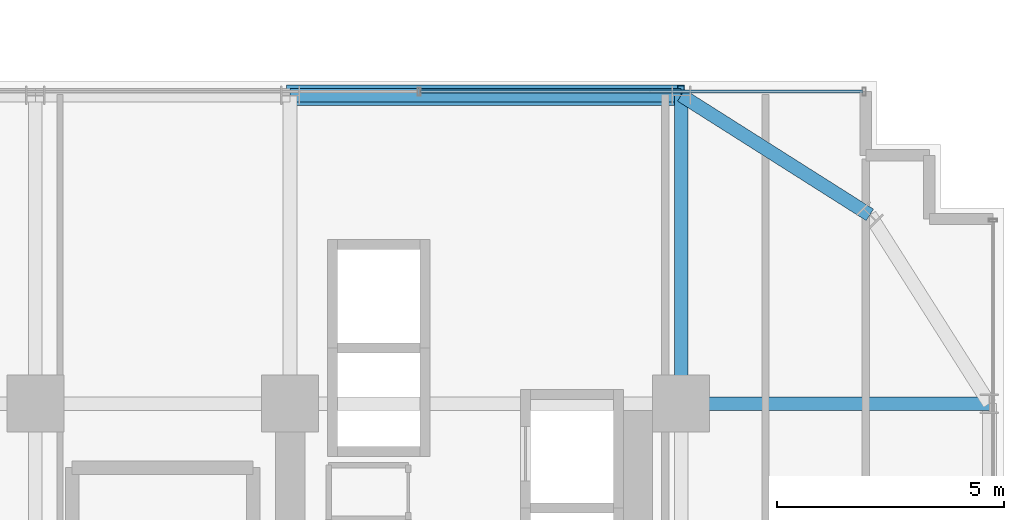
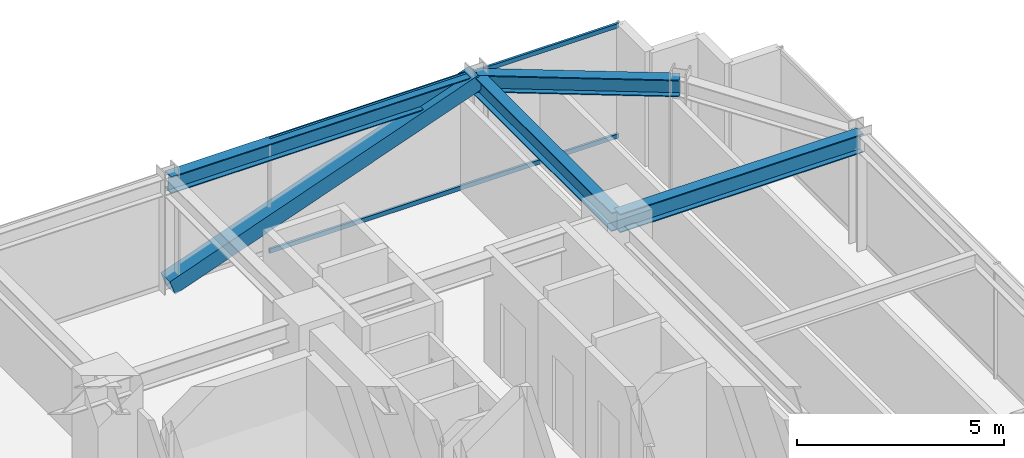
# One storey, part 24 of 35: 4 beams, 3 members, 1 element without a shape of its own.
"""IFC4 building model written with IfcOpenShell, lengths in metres."""

from ifc_helpers import new_model, si_unit, direction, frame, origin, origin_2d, place, context, subcontext, project, spatial, hollow_rectangle, i_section, extrude, source, transform, mapped, material, material_profile, profile_set, type_object, element, aggregate, save


model = new_model("IFC4")

# Units and contexts
model_context = context("Model", 3, precision=1e-05, world=origin(), true_north=direction((0.0, 1.0)))
body_context = subcontext(model_context, "Body", "Model", "MODEL_VIEW")
ifc_project = project(units=[si_unit("LENGTHUNIT", "METRE"), si_unit("AREAUNIT", "SQUARE_METRE"), si_unit("VOLUMEUNIT", "CUBIC_METRE"), si_unit("PLANEANGLEUNIT", "RADIAN"), si_unit("MASSUNIT", "GRAM", prefix="KILO")], contexts=[model_context])

# Site, building, storey
site_placement = place(None, origin())
site = spatial("IfcSite", under=ifc_project, at=site_placement, CompositionType="ELEMENT")
building_placement = place(site_placement, origin())
building = spatial("IfcBuilding", under=site, at=building_placement, Name="Nahalor Promenade Grand Hotel", CompositionType="ELEMENT")
storey_placement = place(building_placement, frame((0.0, 0.0, 121.14990234375)))
storey = spatial("IfcBuildingStorey", under=building, at=storey_placement, Name="L30", CompositionType="ELEMENT", Elevation=121.14990234375)

# Beams
ifc_material_1 = material(Name="Steel S355JR", Category="steel")
ifc_material_profile_1 = material_profile(ifc_material_1, i_section(OverallWidth=0.3, OverallDepth=0.5, WebThickness=0.0145, FlangeThickness=0.028, at=origin_2d()), Name="HEB 500")
ifc_profile_set_1 = profile_set([ifc_material_profile_1], Name="Steel S355JR")
beam_type_1 = type_object("IfcBeamType", Name="Beam-Spandrel-HEB500", PredefinedType="SPANDREL", material=ifc_profile_set_1)
shared_shape_1 = source(origin(), body_context, "Body", "SweptSolid", [
    extrude(i_section(OverallWidth=0.3, OverallDepth=0.5, WebThickness=0.0145, FlangeThickness=0.028, at=origin_2d()), origin(), (0.0, 0.0, 1.0), 8.60009765625),
])
beam_1_placement = place(storey_placement, frame((8.39990234375, 23.780029296875, 3.130126953125), z_axis=(1.0, 0.0, 0.0), x_axis=(0.0, 1.0, 0.0)))
element("IfcBeam", 1, at=beam_1_placement, inside=storey, type_object=beam_type_1, Name="BM-L30-SP-N-4", PredefinedType="SPANDREL", context=body_context, shape_type="MappedRepresentation", body=[
    mapped(shared_shape_1, transform((0.0, 0.0, 0.0), scale=1.0)),
])
shared_shape_2 = source(origin(), body_context, "Body", "SweptSolid", [
    extrude(i_section(OverallWidth=0.3, OverallDepth=0.5, WebThickness=0.0145, FlangeThickness=0.028, at=origin_2d()), origin(), (0.0, 0.0, 1.0), 4.9130859375),
])
beam_2_placement = place(storey_placement, frame((17.0, 23.780029296875, 3.130126953125), z_axis=(0.844648325505, -0.535321591403, 0.0), x_axis=(0.535321591403, 0.844648325505, 0.0)))
element("IfcBeam", 2, at=beam_2_placement, inside=storey, type_object=beam_type_1, Name="BM-L30-SPC-NE-1", PredefinedType="SPANDREL", context=body_context, shape_type="MappedRepresentation", body=[
    mapped(shared_shape_2, transform((0.0, 0.0, 0.0), scale=1.0)),
])
ifc_material_profile_2 = material_profile(ifc_material_1, i_section(OverallWidth=0.3, OverallDepth=0.55, WebThickness=0.015, FlangeThickness=0.029, at=origin_2d()), Name="HEB 550")
ifc_profile_set_2 = profile_set([ifc_material_profile_2], Name="Steel S355JR")
beam_type_2 = type_object("IfcBeamType", Name="Beam-Girder-HEB550", PredefinedType="BEAM", material=ifc_profile_set_2)
shared_shape_3 = source(origin(), body_context, "Body", "SweptSolid", [
    extrude(i_section(OverallWidth=0.3, OverallDepth=0.55, WebThickness=0.015, FlangeThickness=0.029, at=origin_2d()), origin(), (0.0, 0.0, 1.0), 6.780029296875),
])
for number, where, z_axis, x_axis, name in (
    (3, (17.0, 17.0, 3.10498046875), (1.0, 0.0, 0.0), (0.0, 1.0, 0.0), "BM-L30-GX-3-6"),
    (4, (17.0, 17.0, 3.10498046875), (0.0, 1.0, 0.0), (-1.0, 0.0, 0.0), "BM-L30-GY-5-4"),
):
    element("IfcBeam", number, at=place(storey_placement, frame(where, z_axis=z_axis, x_axis=x_axis)), inside=storey, type_object=beam_type_2, Name=name, PredefinedType="BEAM", context=body_context, shape_type="MappedRepresentation", body=[
        mapped(shared_shape_3, transform((0.0, 0.0, 0.0), scale=1.0)),
    ])

# Member
ifc_material_2 = material(Name="Steel S355J2", Category="steel")
ifc_material_profile_3 = material_profile(ifc_material_2, hollow_rectangle(XDim=0.45, YDim=0.45, WallThickness=0.025, at=origin_2d()), Name="SHS 450x450x25")
ifc_profile_set_3 = profile_set([ifc_material_profile_3], Name="Steel S355J2")
member_type_1 = type_object("IfcMemberType", Name="Mem-ExoBrace-SHS450", PredefinedType="BRACE", material=ifc_profile_set_3)
shared_shape_4 = source(origin(), body_context, "Body", "SweptSolid", [
    extrude(hollow_rectangle(XDim=0.45, YDim=0.45, WallThickness=0.025, at=origin_2d()), origin(), (0.0, 0.0, 1.0), 9.135009765625),
])
member_1_placement = place(storey_placement, frame((8.39990234375, 23.780029296875, 0.150146484375), z_axis=(0.941451323466, 0.0, 0.337148936738), x_axis=(0.0, 1.0, 0.0)))
element("IfcMember", 5, at=member_1_placement, inside=storey, type_object=member_type_1, Name="EXO-L30-N-1", PredefinedType="BRACE", context=body_context, shape_type="MappedRepresentation", body=[
    mapped(shared_shape_4, transform((0.0, 0.0, 0.0), scale=1.0)),
])

# Curtain wall, members
ifc_material_3 = material(Name="Anodised Bronze Aluminium EN AW-6063 T6", Category="aluminium")
curtain_wall_type = type_object("IfcCurtainWallType", Name="CW2 Typical Hotel Flush Bronze Unitised Curtain Wall", PredefinedType="USERDEFINED", material=ifc_material_3)
curtain_wall_placement = place(storey_placement, origin())
curtain_wall = element("IfcCurtainWall", 6, at=curtain_wall_placement, inside=storey, type_object=curtain_wall_type, Name="L30 Curtain Wall CW-L30-N-3", ObjectType="UNITISED_CURTAIN_WALL", PredefinedType="USERDEFINED")
ifc_material_profile_4 = material_profile(ifc_material_3, hollow_rectangle(XDim=0.065, YDim=0.13, WallThickness=0.004, at=origin_2d()), Name="CWT 65x130x4")
ifc_profile_set_4 = profile_set([ifc_material_profile_4], Name="Anodised Bronze Aluminium EN AW-6063 T6")
member_type_2 = type_object("IfcMemberType", Name="CWT2 Typical Bronze Transom 65x130", PredefinedType="USERDEFINED", material=ifc_profile_set_4)
shared_shape_5 = source(origin(), body_context, "Body", "SweptSolid", [
    extrude(hollow_rectangle(XDim=0.065, YDim=0.13, WallThickness=0.004, at=origin_2d()), origin(), (0.0, 0.0, 1.0), 9.72265625),
])
member_2_placement = place(storey_placement, frame((11.2724609375, 23.860107421875, 0.065185546875), z_axis=(1.0, 0.0, 0.0), x_axis=(0.0, 1.0, 0.0)))
member_2 = element("IfcMember", 7, at=member_2_placement, type_object=member_type_2, Name="CW-L30-N-3 Transom 2-0", ObjectType="TRANSOM", PredefinedType="USERDEFINED", context=body_context, shape_type="MappedRepresentation", body=[
    mapped(shared_shape_5, transform((0.0, 0.0, 0.0), scale=1.0)),
])
member_3_placement = place(storey_placement, frame((11.2724609375, 23.860107421875, 3.315185546875), z_axis=(1.0, 0.0, 0.0), x_axis=(0.0, 1.0, 0.0)))
member_3 = element("IfcMember", 8, at=member_3_placement, type_object=member_type_2, Name="CW-L30-N-3 Transom 2-1", ObjectType="TRANSOM", PredefinedType="USERDEFINED", context=body_context, shape_type="MappedRepresentation", body=[
    mapped(shared_shape_5, transform((0.0, 0.0, 0.0), scale=1.0)),
])
aggregate(curtain_wall, [member_2, member_3])

save(model, "model.ifc")
